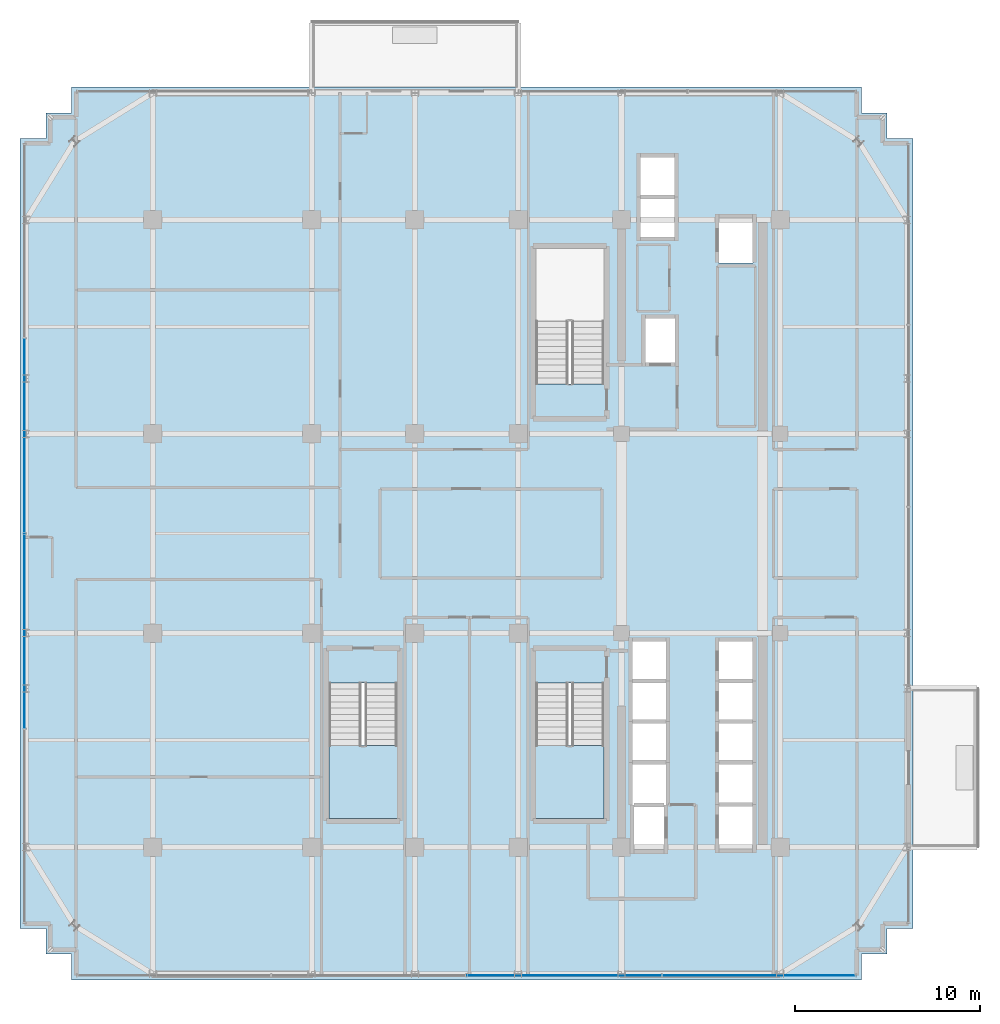
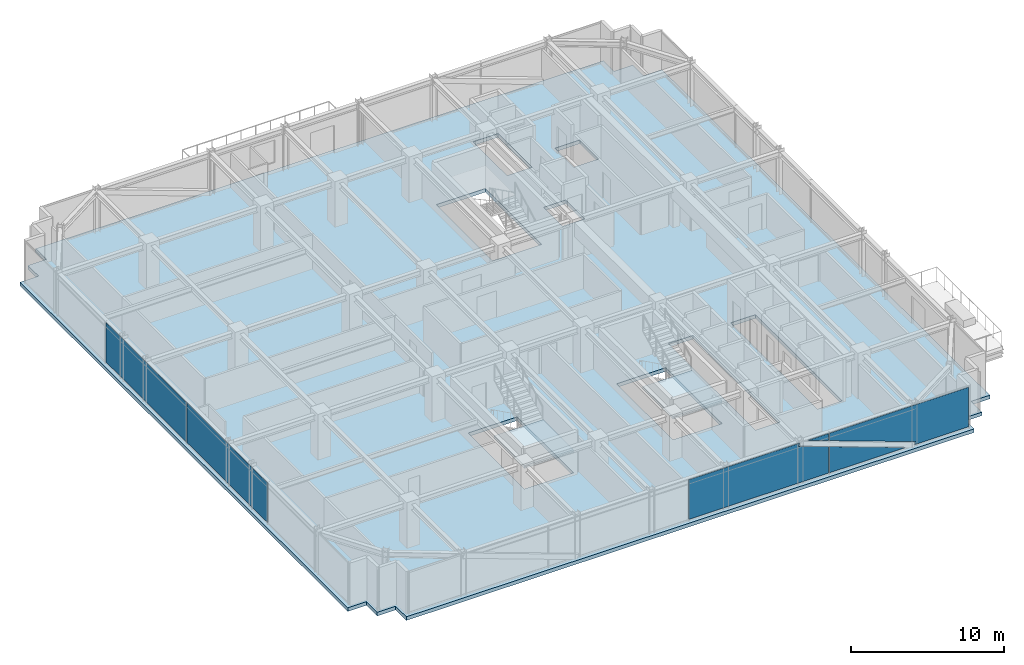
# One storey, part 30 of 42: 4 plates, 3 slabs, 4 elements without a shape of their own.
"""IFC4 building model written with IfcOpenShell, lengths in metres."""

import ifcopenshell
import ifcopenshell.guid

model = None  # the IFC model being written
_history = None  # IfcOwnerHistory: only IFC2X3 demands one
_inside = {}  # id of a spatial element -> (the spatial element, [elements in it])
_under = {}  # id of a project, library or spatial element -> (it, [spatial elements below it])
_declared = {}  # id of a project -> (the project, [libraries it declares])
_typed = {}  # id of a type object -> (the type object, [elements of that type])
_made_of = {}  # id of a material, layer set ... -> (it, [elements and type objects made of it])


def new_model(schema):
    """Start an empty IFC model of exactly this schema.

    Asked for "IFC4X3", IfcOpenShell would pick the latest addendum, in which some entities
    have other attributes; the version numbers below select the first issue.
    IFC2X3 requires an IfcOwnerHistory on every rooted entity: one is made here for all.
    """
    global model, _history
    if schema == "IFC4X3":
        model = ifcopenshell.file(schema_version=(4, 3, 0, 0))
    else:
        model = ifcopenshell.file(schema=schema)
    _inside.clear()
    _under.clear()
    _declared.clear()
    _typed.clear()
    _made_of.clear()
    _history = None
    if model.schema == "IFC2X3":
        org = make("IfcOrganization", Name="unknown")
        user = make(
            "IfcPersonAndOrganization",
            ThePerson=make("IfcPerson", FamilyName="unknown"),
            TheOrganization=org,
        )
        app = make(
            "IfcApplication",
            ApplicationDeveloper=org,
            Version="unknown",
            ApplicationFullName="unknown",
            ApplicationIdentifier="unknown",
        )
        _history = make(
            "IfcOwnerHistory",
            OwningUser=user,
            OwningApplication=app,
            ChangeAction="ADDED",
            CreationDate=0,
        )
    return model


def make(cls, **values):
    """One entity of the class cls with the attributes given. An attribute that is None is left unset."""
    return model.create_entity(
        cls, **{name: value for name, value in values.items() if value is not None}
    )


def rooted(cls, **values):
    """An entity with a GlobalId (a new one), such as an element, a storey or a relation."""
    return make(cls, GlobalId=ifcopenshell.guid.new(), OwnerHistory=_history, **values)


def si_unit(unit_type, name, prefix=None):
    """IfcSIUnit, for example si_unit("LENGTHUNIT", "METRE", prefix="MILLI")."""
    return make("IfcSIUnit", UnitType=unit_type, Prefix=prefix, Name=name)


def assignment(units):
    """IfcUnitAssignment: the units of a project."""
    return None if units is None else make("IfcUnitAssignment", Units=units)


def point(xyz):
    """IfcCartesianPoint."""
    return None if xyz is None else make("IfcCartesianPoint", Coordinates=xyz)


def direction(xyz):
    """IfcDirection."""
    return None if xyz is None else make("IfcDirection", DirectionRatios=xyz)


def frame(location, z_axis=None, x_axis=None):
    """IfcAxis2Placement3D, a coordinate frame: its origin and axes. An axis left out is left unset."""
    return make(
        "IfcAxis2Placement3D",
        Location=point(location),
        Axis=direction(z_axis),
        RefDirection=direction(x_axis),
    )


def frame_2d(location, x_axis=None):
    """IfcAxis2Placement2D, a coordinate frame in the plane: its origin and x axis."""
    return make(
        "IfcAxis2Placement2D", Location=point(location), RefDirection=direction(x_axis)
    )


def origin():
    """The frame at (0, 0, 0) with its axes left unset."""
    return frame((0.0, 0.0, 0.0))


def origin_2d():
    """The frame at (0, 0) in the plane with its x axis left unset."""
    return frame_2d((0.0, 0.0))


def place(relative_to, where):
    """IfcLocalPlacement: puts the frame where relative to a parent placement (None: the world)."""
    return make(
        "IfcLocalPlacement", PlacementRelTo=relative_to, RelativePlacement=where
    )


def context(
    kind, dimensions, precision=None, world=None, true_north=None, identifier=None
):
    """IfcGeometricRepresentationContext, for example the 3D "Model" context."""
    return make(
        "IfcGeometricRepresentationContext",
        ContextIdentifier=identifier,
        ContextType=kind,
        CoordinateSpaceDimension=dimensions,
        Precision=precision,
        WorldCoordinateSystem=world,
        TrueNorth=true_north,
    )


def subcontext(parent, identifier, kind, view, scale=None):
    """IfcGeometricRepresentationSubContext, for example "Body" below "Model"."""
    return make(
        "IfcGeometricRepresentationSubContext",
        ContextIdentifier=identifier,
        ContextType=kind,
        ParentContext=parent,
        TargetScale=scale,
        TargetView=view,
    )


def project(units=None, contexts=None):
    """IfcProject with its units and contexts."""
    return rooted(
        "IfcProject",
        Name="project",
        RepresentationContexts=contexts,
        UnitsInContext=assignment(units),
    )


def spatial(cls, under=None, at=None, **own):
    """A site, building, storey or space (cls), placed at a placement, below another one or the project."""
    s = rooted(cls, ObjectPlacement=at, **own)
    if under is not None:
        _under.setdefault(under.id(), (under, []))[1].append(s)
    return s


def polyline(points):
    """IfcPolyline through the points."""
    return make("IfcPolyline", Points=[point(p) for p in points])


def profile(cls, at=None, kind="AREA", **sizes):
    """A parametric profile (cls). Its sizes go by their IFC names, for example OverallWidth=200.0."""
    return make(cls, ProfileType=kind, Position=at, **sizes)


def rectangle(**sizes):
    """IfcRectangleProfileDef."""
    return profile("IfcRectangleProfileDef", **sizes)


def outline(outer, holes=None, kind="AREA"):
    """IfcArbitraryClosedProfileDef: a profile drawn as a closed curve; with holes, ...WithVoids."""
    if holes is None:
        return make("IfcArbitraryClosedProfileDef", ProfileType=kind, OuterCurve=outer)
    return make(
        "IfcArbitraryProfileDefWithVoids",
        ProfileType=kind,
        OuterCurve=outer,
        InnerCurves=holes,
    )


def extrude(swept, where, along, depth):
    """IfcExtrudedAreaSolid: the profile swept, set in the frame where, extruded along a direction by depth."""
    return make(
        "IfcExtrudedAreaSolid",
        SweptArea=swept,
        Position=where,
        ExtrudedDirection=direction(along),
        Depth=depth,
    )


def shape(context_of_items, identifier, shape_type, items):
    """IfcShapeRepresentation: the items that make up one representation, for example the "Body"."""
    return make(
        "IfcShapeRepresentation",
        ContextOfItems=context_of_items,
        RepresentationIdentifier=identifier,
        RepresentationType=shape_type,
        Items=items,
    )


def source(mapping_origin, context_of_items, identifier, shape_type, items):
    """IfcRepresentationMap: a shape defined once, which mapped items show again and again."""
    return make(
        "IfcRepresentationMap",
        MappingOrigin=mapping_origin,
        MappedRepresentation=shape(context_of_items, identifier, shape_type, items),
    )


def transform(
    local_origin,
    x_axis=None,
    y_axis=None,
    z_axis=None,
    scale=None,
    scale2=None,
    scale3=None,
    uniform=True,
):
    """IfcCartesianTransformationOperator3D, or its non-uniform kind. x_axis, y_axis, z_axis: its Axis1, 2, 3."""
    if uniform:
        return make(
            "IfcCartesianTransformationOperator3D",
            Axis1=direction(x_axis),
            Axis2=direction(y_axis),
            LocalOrigin=point(local_origin),
            Scale=scale,
            Axis3=direction(z_axis),
        )
    return make(
        "IfcCartesianTransformationOperator3DnonUniform",
        Axis1=direction(x_axis),
        Axis2=direction(y_axis),
        LocalOrigin=point(local_origin),
        Scale=scale,
        Axis3=direction(z_axis),
        Scale2=scale2,
        Scale3=scale3,
    )


def mapped(mapping_source, mapping_target):
    """IfcMappedItem: shows the shape of a source again, moved by a transform."""
    return make(
        "IfcMappedItem", MappingSource=mapping_source, MappingTarget=mapping_target
    )


def material(Name=None, Category=None):
    """IfcMaterial."""
    return make("IfcMaterial", Name=Name, Category=Category)


def layer(
    of_material, thickness, ventilated=None, Name=None, Category=None, Priority=None
):
    """IfcMaterialLayer: one layer of a wall or slab, of a material (None: an air gap)."""
    return make(
        "IfcMaterialLayer",
        Material=of_material,
        LayerThickness=thickness,
        IsVentilated=ventilated,
        Name=Name,
        Category=Category,
        Priority=Priority,
    )


def layer_set(layers, Name=None):
    """IfcMaterialLayerSet."""
    return make("IfcMaterialLayerSet", MaterialLayers=layers, LayerSetName=Name)


def made_of(thing, what):
    """Note that an element or type object is made of a material, layer set ...; save() writes the relation."""
    if what is not None:
        _made_of.setdefault(what.id(), (what, []))[1].append(thing)
    return thing


def type_object(cls, material=None, **own):
    """A type object (cls), such as IfcWallType, which elements share."""
    return made_of(rooted(cls, **own), material)


def element(
    cls,
    number,
    at=None,
    inside=None,
    cuts=None,
    type_object=None,
    material=None,
    context=None,
    identifier="Body",
    shape_type=None,
    held_by="IfcProductDefinitionShape",
    body=None,
    shapes=None,
    **own,
):
    """One element of the class cls, such as IfcWall. Its Tag is "e" and its number.

    at: its placement. inside: the storey or other place that contains it. cuts: it is an
    opening in that element (IfcRelVoidsElement). A single representation is given by context,
    identifier, shape_type and body (its items); several are given by shapes. held_by: the class
    of the entity that holds the representations. save() writes the other relations.
    """
    e = rooted(cls, Tag="e%d" % number, ObjectPlacement=at, **own)
    if body is not None:
        shapes = [shape(context, identifier, shape_type, body)]
    if shapes is not None:
        e.Representation = make(held_by, Representations=shapes)
    if inside is not None:
        _inside.setdefault(inside.id(), (inside, []))[1].append(e)
    if cuts is not None:
        rooted(
            "IfcRelVoidsElement", RelatingBuildingElement=cuts, RelatedOpeningElement=e
        )
    if type_object is not None:
        _typed.setdefault(type_object.id(), (type_object, []))[1].append(e)
    return made_of(e, material)


def aggregate(whole, parts):
    """IfcRelAggregates: a whole, such as a stair, and the parts it consists of."""
    return rooted("IfcRelAggregates", RelatingObject=whole, RelatedObjects=parts)


def save(model, path):
    """Write the relations noted so far, then the file.

    IfcRelAggregates (storeys below a building ...), IfcRelContainedInSpatialStructure (elements
    in a storey), IfcRelDefinesByType, IfcRelAssociatesMaterial and IfcRelDeclares: one each for
    every whole, place, type object, material and project.
    """
    for whole, parts in _under.values():
        aggregate(whole, parts)
    for where, things in _inside.values():
        rooted(
            "IfcRelContainedInSpatialStructure",
            RelatedElements=things,
            RelatingStructure=where,
        )
    for kind, things in _typed.values():
        rooted("IfcRelDefinesByType", RelatedObjects=things, RelatingType=kind)
    for what, things in _made_of.values():
        rooted("IfcRelAssociatesMaterial", RelatedObjects=things, RelatingMaterial=what)
    for by, libraries in _declared.values():
        rooted("IfcRelDeclares", RelatingContext=by, RelatedDefinitions=libraries)
    model.write(path)


model = new_model("IFC4")

# Units and contexts
model_context = context("Model", 3, precision=1e-05, world=origin(), true_north=direction((0.0, 1.0)))
body_context = subcontext(model_context, "Body", "Model", "MODEL_VIEW")
ifc_project = project(units=[si_unit("LENGTHUNIT", "METRE"), si_unit("AREAUNIT", "SQUARE_METRE"), si_unit("VOLUMEUNIT", "CUBIC_METRE"), si_unit("PLANEANGLEUNIT", "RADIAN"), si_unit("MASSUNIT", "GRAM", prefix="KILO")], contexts=[model_context])

# Site, building, storey
site_placement = place(None, origin())
site = spatial("IfcSite", under=ifc_project, at=site_placement, CompositionType="ELEMENT")
building_placement = place(site_placement, origin())
building = spatial("IfcBuilding", under=site, at=building_placement, Name="Nahalor Promenade Grand Hotel", CompositionType="ELEMENT")
storey_placement = place(building_placement, frame((0.0, 0.0, 249.300048828125)))
storey = spatial("IfcBuildingStorey", under=building, at=storey_placement, Name="L64", CompositionType="ELEMENT", Elevation=249.300048828125)

# Curtain wall, plates
ifc_material_1 = material(Name="Anodised Bronze Aluminium EN AW-6063 T6", Category="aluminium")
curtain_wall_type = type_object("IfcCurtainWallType", Name="CW2 Typical Hotel Flush Bronze Unitised Curtain Wall", PredefinedType="USERDEFINED", material=ifc_material_1)
curtain_wall_1_placement = place(storey_placement, origin())
curtain_wall_1 = element("IfcCurtainWall", 1, at=curtain_wall_1_placement, inside=storey, type_object=curtain_wall_type, Name="L64 Curtain Wall CW-L64-S-1", ObjectType="UNITISED_CURTAIN_WALL", PredefinedType="USERDEFINED")
ifc_material_2 = material(Name="Low-E Laminated Solar Glass", Category="glass")
ifc_layer_1 = layer(ifc_material_2, 0.028076171875)
ifc_layer_set_1 = layer_set([ifc_layer_1], Name="Low-E Laminated Solar Glass")
plate_type = type_object("IfcPlateType", Name="CWP2 Bronze Low-E Vision IGU 28mm", PredefinedType="CURTAIN_PANEL", material=ifc_layer_set_1)
plate_1_placement = place(storey_placement, frame((5.2900390625, -23.9599609375, 0.1298828125), z_axis=(0.0, 0.0, 1.0), x_axis=(1.0, 0.0, 0.0)))
plate_1 = element("IfcPlate", 2, at=plate_1_placement, type_object=plate_type, Name="CW-L64-S-1 Glazing Panel 2-0", PredefinedType="CURTAIN_PANEL", context=body_context, shape_type="SweptSolid", body=[
    extrude(outline(polyline([(-5.257568359375, 0.0), (5.257568359375, 0.0), (5.257568359375, 2.1142578125), (3.010009765625, 2.927001953125), (3.090576171875, 3.14990234375), (-5.257568359375, 3.14990234375), (-5.257568359375, 0.0)])), frame((0.0, 0.01416015625, 0.0), z_axis=(0.0, -1.0, 0.0), x_axis=(1.0, 0.0, 0.0)), (0.0, 0.0, 1.0), 0.028076171875),
    extrude(outline(polyline([(5.257568359375, 2.5927734375), (5.257568359375, 3.14990234375), (3.71630859375, 3.14990234375), (5.257568359375, 2.5927734375)])), frame((0.0, 0.01416015625, 0.0), z_axis=(0.0, -1.0, 0.0), x_axis=(1.0, 0.0, 0.0)), (0.0, 0.0, 1.0), 0.028076171875),
])
plate_2_placement = place(storey_placement, frame((15.853759765625, -23.9599609375, 0.1298828125), z_axis=(0.0, 0.0, 1.0), x_axis=(1.0, 0.0, 0.0)))
plate_2 = element("IfcPlate", 3, at=plate_2_placement, type_object=plate_type, Name="CW-L64-S-1 Glazing Panel 3-0", PredefinedType="CURTAIN_PANEL", context=body_context, shape_type="SweptSolid", body=[
    extrude(outline(polyline([(5.2412109375, 3.14990234375), (-5.2412109375, 3.14990234375), (-5.2412109375, 2.569091796875), (1.246337890625, 0.22314453125), (1.16552734375, 0.0), (5.2412109375, 0.0), (5.2412109375, 3.14990234375)])), frame((0.0, 0.01416015625, 0.0), z_axis=(0.0, -1.0, 0.0), x_axis=(1.0, 0.0, 0.0)), (0.0, 0.0, 1.0), 0.028076171875),
    extrude(outline(polyline([(-5.2412109375, 2.090576171875), (-5.2412109375, 0.0), (0.5400390625, 0.0), (-5.2412109375, 2.090576171875)])), frame((0.0, 0.01416015625, 0.0), z_axis=(0.0, -1.0, 0.0), x_axis=(1.0, 0.0, 0.0)), (0.0, 0.0, 1.0), 0.028076171875),
])
aggregate(curtain_wall_1, [plate_1, plate_2])

# Stair, slab
ifc_material_3 = material(Name="Concrete B-50 (C40/50)", Category="concrete")
stair_type_1 = type_object("IfcStairType", Name="Stair-ST2", PredefinedType="HALF_TURN_STAIR", material=ifc_material_3)
stair_1_placement = place(storey_placement, origin())
stair_1 = element("IfcStair", 4, at=stair_1_placement, inside=storey, type_object=stair_type_1, Name="L64 ST2", PredefinedType="HALF_TURN_STAIR")
ifc_layer_2 = layer(ifc_material_3, 0.2099609375)
ifc_layer_set_2 = layer_set([ifc_layer_2], Name="Concrete B-50 (C40/50)")
slab_type_1 = type_object("IfcSlabType", Name="Landing-ST2", PredefinedType="LANDING", material=ifc_layer_set_2)
slab_1_placement = place(storey_placement, frame((0.0, 0.0, 1.639892578125)))
slab_1 = element("IfcSlab", 5, at=slab_1_placement, type_object=slab_type_1, Name="ST2 landing 1", PredefinedType="LANDING", context=body_context, shape_type="SweptSolid", body=[
    extrude(outline(polyline([(3.75, -11.5), (3.75, -15.449951171875), (7.449951171875, -15.449951171875), (7.449951171875, -11.5), (3.75, -11.5)])), origin(), (0.0, 0.0, 1.0), 0.2099609375),
])
aggregate(stair_1, [slab_1])

stair_type_2 = type_object("IfcStairType", Name="Stair-ST3", PredefinedType="HALF_TURN_STAIR", material=ifc_material_3)
stair_2_placement = place(storey_placement, origin())
stair_2 = element("IfcStair", 6, at=stair_2_placement, inside=storey, type_object=stair_type_2, Name="L64 ST3", PredefinedType="HALF_TURN_STAIR")
ifc_layer_3 = layer(ifc_material_3, 0.219970703125)
ifc_layer_set_3 = layer_set([ifc_layer_3], Name="Concrete B-50 (C40/50)")
slab_type_2 = type_object("IfcSlabType", Name="Landing-ST3", PredefinedType="LANDING", material=ifc_layer_set_3)
slab_2_placement = place(storey_placement, frame((0.0, 0.0, 1.6298828125)))
slab_2 = element("IfcSlab", 7, at=slab_2_placement, type_object=slab_type_2, Name="ST3 landing 1", PredefinedType="LANDING", context=body_context, shape_type="SweptSolid", body=[
    extrude(outline(polyline([(-7.449951171875, -11.5), (-7.449951171875, -15.449951171875), (-3.75, -15.449951171875), (-3.75, -11.5), (-7.449951171875, -11.5)])), origin(), (0.0, 0.0, 1.0), 0.219970703125),
])
aggregate(stair_2, [slab_2])

# Slab
ifc_layer_4 = layer(ifc_material_3, 0.2900390625)
ifc_layer_set_4 = layer_set([ifc_layer_4], Name="Concrete B-50 (C40/50)")
slab_type_3 = type_object("IfcSlabType", Name="Slab-TowerZ4-290", PredefinedType="FLOOR", material=ifc_layer_set_4)
slab_3_placement = place(storey_placement, frame((0.0, 0.0, -0.2900390625)))
element("IfcSlab", 8, at=slab_3_placement, inside=storey, type_object=slab_type_3, Name="L64 Suspended Structural Floor Slab", PredefinedType="FLOOR", context=body_context, shape_type="SweptSolid", body=[
    extrude(outline(polyline([(-21.39990234375, -24.199951171875), (21.39990234375, -24.199951171875), (21.39990234375, -22.800048828125), (22.800048828125, -22.800048828125), (22.800048828125, -21.39990234375), (24.199951171875, -21.39990234375), (24.199951171875, 21.39990234375), (22.800048828125, 21.39990234375), (22.800048828125, 22.800048828125), (21.39990234375, 22.800048828125), (21.39990234375, 24.199951171875), (-21.39990234375, 24.199951171875), (-21.39990234375, 22.800048828125), (-22.800048828125, 22.800048828125), (-22.800048828125, 21.39990234375), (-24.199951171875, 21.39990234375), (-24.199951171875, -21.39990234375), (-22.800048828125, -21.39990234375), (-22.800048828125, -22.800048828125), (-21.39990234375, -22.800048828125), (-21.39990234375, -24.199951171875)]), holes=[polyline([(3.75, 8.10009765625), (7.449951171875, 8.10009765625), (7.449951171875, 15.449951171875), (3.75, 15.449951171875), (3.75, 8.10009765625)]), polyline([(3.75, -15.449951171875), (7.449951171875, -15.449951171875), (7.449951171875, -8.10009765625), (3.75, -8.10009765625), (3.75, -15.449951171875)]), polyline([(-7.449951171875, -15.449951171875), (-3.75, -15.449951171875), (-3.75, -8.10009765625), (-7.449951171875, -8.10009765625), (-7.449951171875, -15.449951171875)]), polyline([(13.659912109375, -17.139892578125), (15.5400390625, -17.139892578125), (15.5400390625, -5.81005859375), (13.659912109375, -5.81005859375), (13.659912109375, -17.139892578125)]), polyline([(8.9599609375, -17.18994140625), (10.840087890625, -17.18994140625), (10.840087890625, -5.81005859375), (8.9599609375, -5.81005859375), (8.9599609375, -17.18994140625)]), polyline([(9.409912109375, 16.010009765625), (11.2900390625, 16.010009765625), (11.2900390625, 20.43994140625), (9.409912109375, 20.43994140625), (9.409912109375, 16.010009765625)]), polyline([(9.659912109375, 9.2099609375), (11.340087890625, 9.2099609375), (11.340087890625, 11.68994140625), (9.659912109375, 11.68994140625), (9.659912109375, 9.2099609375)]), polyline([(13.659912109375, 14.659912109375), (15.5400390625, 14.659912109375), (15.5400390625, 17.139892578125), (13.659912109375, 17.139892578125), (13.659912109375, 14.659912109375)])]), origin(), (0.0, 0.0, 1.0), 0.2900390625),
])

# Curtain wall, plates
curtain_wall_2_placement = place(storey_placement, origin())
curtain_wall_2 = element("IfcCurtainWall", 9, at=curtain_wall_2_placement, inside=storey, type_object=curtain_wall_type, Name="L64 Curtain Wall CW-L64-W-1", ObjectType="UNITISED_CURTAIN_WALL", PredefinedType="USERDEFINED")
shared_shape = source(origin(), body_context, "Body", "SweptSolid", [
    extrude(rectangle(XDim=10.514892578125, YDim=0.028076171875, at=origin_2d()), origin(), (0.0, 0.0, 1.0), 3.14990234375),
])
plate_3_placement = place(storey_placement, frame((-23.9599609375, -5.2900390625, 0.1298828125), z_axis=(0.0, 0.0, 1.0), x_axis=(0.0, 1.0, 0.0)))
plate_3 = element("IfcPlate", 10, at=plate_3_placement, type_object=plate_type, Name="CW-L64-W-1 Glazing Panel 1-0", PredefinedType="CURTAIN_PANEL", context=body_context, shape_type="MappedRepresentation", body=[
    mapped(shared_shape, transform((0.0, 0.0, 0.0), scale=1.0)),
])
plate_4_placement = place(storey_placement, frame((-23.9599609375, 5.2900390625, 0.1298828125), z_axis=(0.0, 0.0, 1.0), x_axis=(0.0, 1.0, 0.0)))
plate_4 = element("IfcPlate", 11, at=plate_4_placement, type_object=plate_type, Name="CW-L64-W-1 Glazing Panel 2-0", PredefinedType="CURTAIN_PANEL", context=body_context, shape_type="MappedRepresentation", body=[
    mapped(shared_shape, transform((0.0, 0.0, 0.0), scale=1.0)),
])
aggregate(curtain_wall_2, [plate_3, plate_4])

save(model, "model.ifc")
